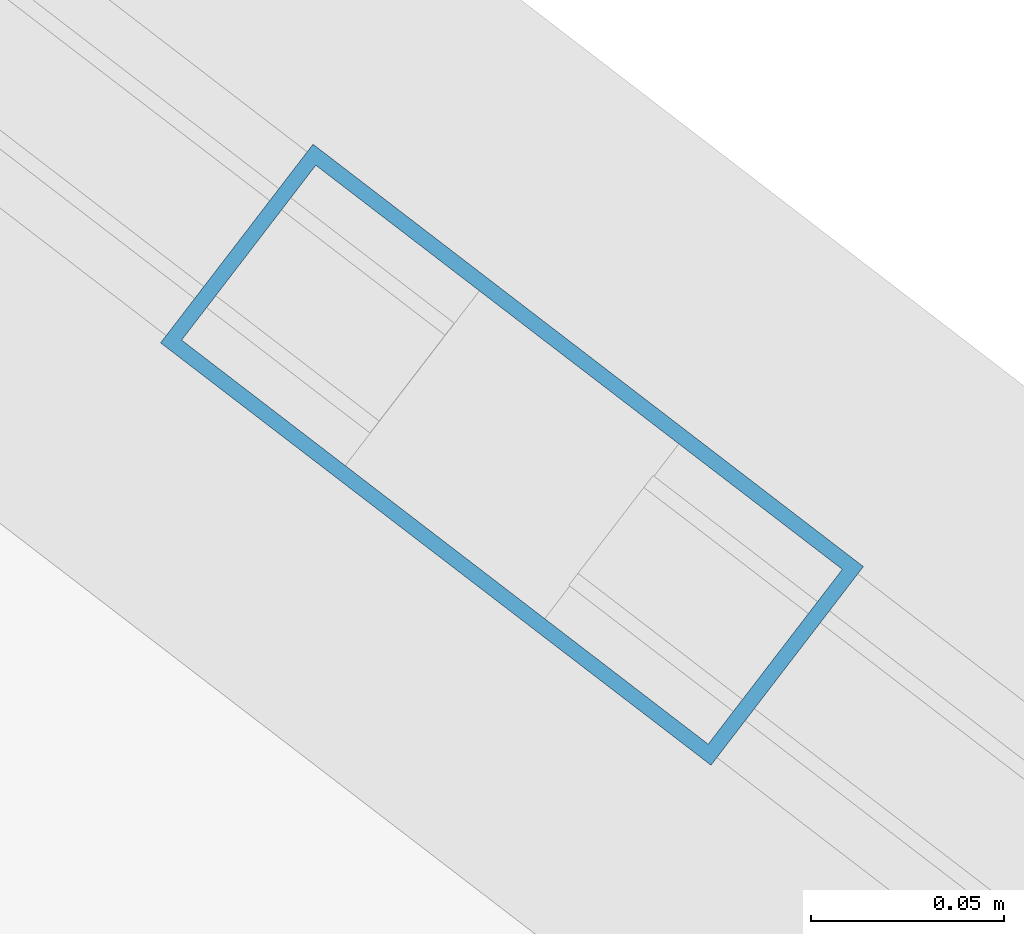
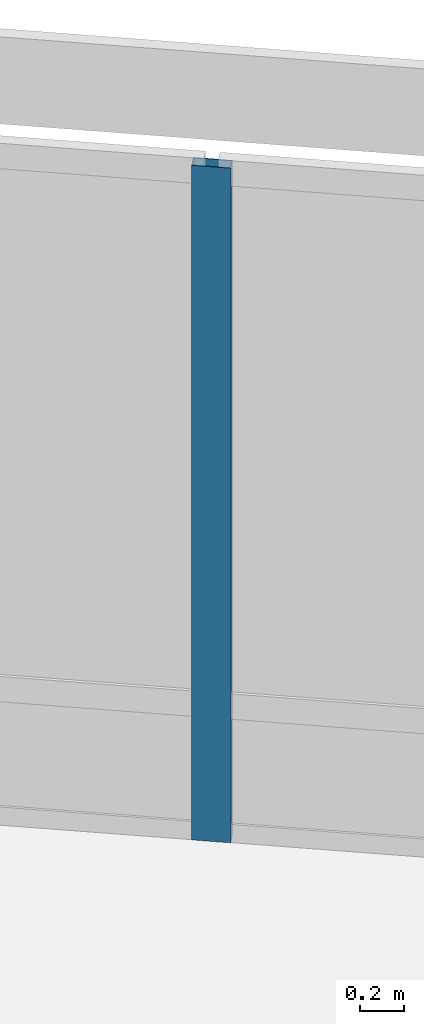
# One storey, part 82 of 170: 1 member, 1 element without a shape of its own.
"""IFC4 building model written with IfcOpenShell, lengths in metres."""

from ifc_helpers import new_model, si_unit, direction, frame, origin, origin_2d, place, context, subcontext, project, spatial, hollow_rectangle, extrude, material, material_profile, profile_set, type_object, element, aggregate, save


model = new_model("IFC4")

# Units and contexts
model_context = context("Model", 3, precision=1e-05, world=origin(), true_north=direction((0.0, 1.0)))
body_context = subcontext(model_context, "Body", "Model", "MODEL_VIEW")
ifc_project = project(units=[si_unit("LENGTHUNIT", "METRE"), si_unit("AREAUNIT", "SQUARE_METRE"), si_unit("VOLUMEUNIT", "CUBIC_METRE"), si_unit("PLANEANGLEUNIT", "RADIAN"), si_unit("MASSUNIT", "GRAM", prefix="KILO")], contexts=[model_context])

# Site, building, storey
site_placement = place(None, origin())
site = spatial("IfcSite", under=ifc_project, at=site_placement, CompositionType="ELEMENT")
building_placement = place(site_placement, origin())
building = spatial("IfcBuilding", under=site, at=building_placement, Name="Vondelvale Polytechnic", CompositionType="ELEMENT")
storey_placement = place(building_placement, frame((0.0, 0.0, 5.39990234375)))
storey = spatial("IfcBuildingStorey", under=building, at=storey_placement, Name="L01", CompositionType="ELEMENT", Elevation=5.39990234375)

# Curtain wall, member
ifc_material_1 = material(Name="Glulam GL18 structural Tasmanian oak (fb = 42 MPa)", Category="wood")
curtain_wall_type = type_object("IfcCurtainWallType", Name="CW-RING-OUTER", PredefinedType="NOTDEFINED", material=ifc_material_1)
curtain_wall_placement = place(storey_placement, origin())
curtain_wall = element("IfcCurtainWall", 1, at=curtain_wall_placement, inside=storey, type_object=curtain_wall_type, Name="L01 architectural curtain wall CW-04-103", PredefinedType="NOTDEFINED")
ifc_material_2 = material(Name="Anodised extruded aluminium 6063-T6", Category="aluminium")
ifc_material_profile = material_profile(ifc_material_2, hollow_rectangle(XDim=0.06494140625, YDim=0.179931640625, WallThickness=0.00390625, at=origin_2d()), Name="CW-MUL-180x65")
ifc_profile_set = profile_set([ifc_material_profile], Name="Anodised extruded aluminium 6063-T6")
member_type = type_object("IfcMemberType", Name="CW-MUL-65x180", PredefinedType="MULLION", material=ifc_profile_set)
member_placement = place(storey_placement, frame((126.55517578125, 110.643798828125, 0.0), z_axis=(0.0, 0.0, 1.0), x_axis=(-0.608786860133, -0.793333825656, 0.0)))
member = element("IfcMember", 2, at=member_placement, type_object=member_type, Name="CW-04-103 mullion 2", PredefinedType="MULLION", context=body_context, shape_type="SweptSolid", body=[
    extrude(hollow_rectangle(XDim=0.06494140625, YDim=0.179931640625, WallThickness=0.00390625, at=origin_2d()), origin(), (0.0, 0.0, 1.0), 3.72021484375),
])
aggregate(curtain_wall, [member])

save(model, "model.ifc")
